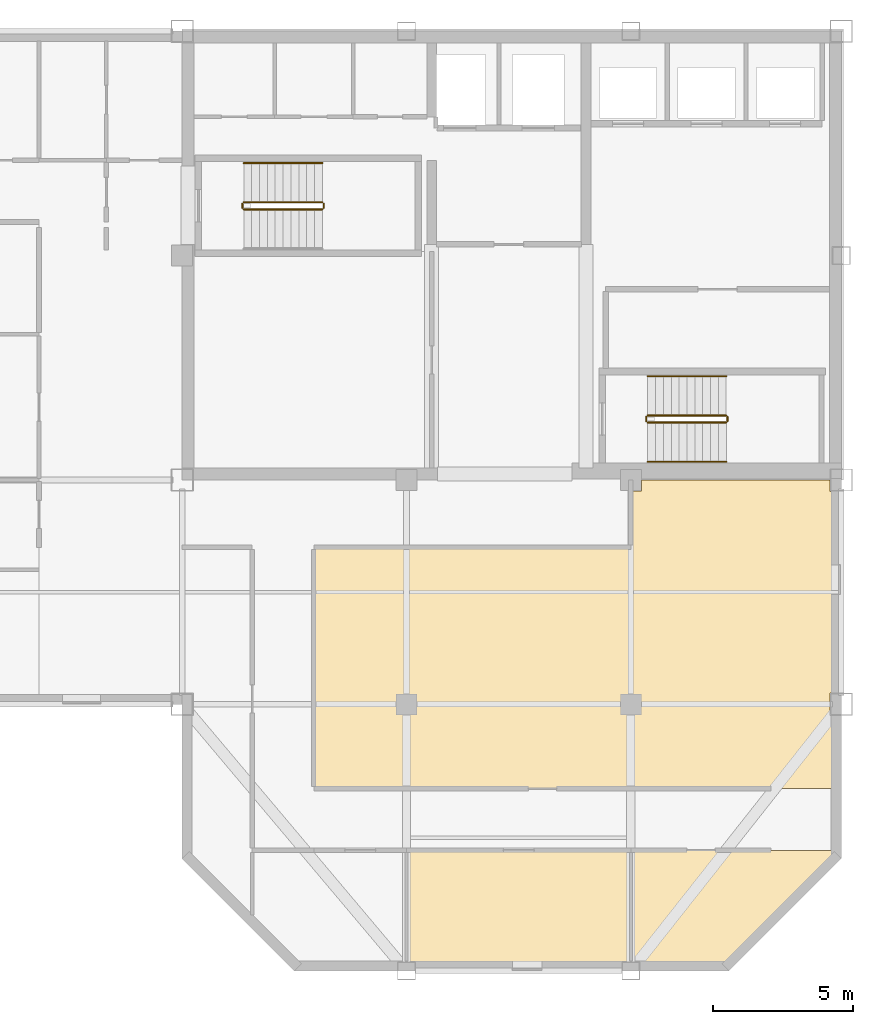
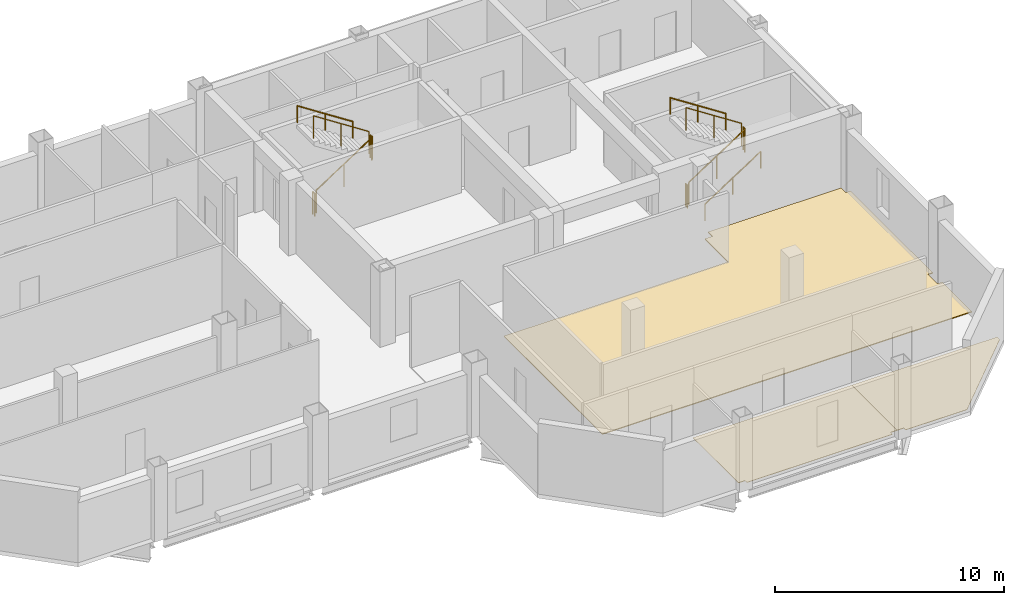
# One storey, part 6 of 7: 11 railings, 3 coverings.
"""IFC4 building model written with IfcOpenShell, lengths in metres."""

import ifcopenshell
import ifcopenshell.guid

model = None  # the IFC model being written
_history = None  # IfcOwnerHistory: only IFC2X3 demands one
_inside = {}  # id of a spatial element -> (the spatial element, [elements in it])
_under = {}  # id of a project, library or spatial element -> (it, [spatial elements below it])
_declared = {}  # id of a project -> (the project, [libraries it declares])
_typed = {}  # id of a type object -> (the type object, [elements of that type])
_made_of = {}  # id of a material, layer set ... -> (it, [elements and type objects made of it])


def new_model(schema):
    """Start an empty IFC model of exactly this schema.

    Asked for "IFC4X3", IfcOpenShell would pick the latest addendum, in which some entities
    have other attributes; the version numbers below select the first issue.
    IFC2X3 requires an IfcOwnerHistory on every rooted entity: one is made here for all.
    """
    global model, _history
    if schema == "IFC4X3":
        model = ifcopenshell.file(schema_version=(4, 3, 0, 0))
    else:
        model = ifcopenshell.file(schema=schema)
    _inside.clear()
    _under.clear()
    _declared.clear()
    _typed.clear()
    _made_of.clear()
    _history = None
    if model.schema == "IFC2X3":
        org = make("IfcOrganization", Name="unknown")
        user = make(
            "IfcPersonAndOrganization",
            ThePerson=make("IfcPerson", FamilyName="unknown"),
            TheOrganization=org,
        )
        app = make(
            "IfcApplication",
            ApplicationDeveloper=org,
            Version="unknown",
            ApplicationFullName="unknown",
            ApplicationIdentifier="unknown",
        )
        _history = make(
            "IfcOwnerHistory",
            OwningUser=user,
            OwningApplication=app,
            ChangeAction="ADDED",
            CreationDate=0,
        )
    return model


def make(cls, **values):
    """One entity of the class cls with the attributes given. An attribute that is None is left unset."""
    return model.create_entity(
        cls, **{name: value for name, value in values.items() if value is not None}
    )


def rooted(cls, **values):
    """An entity with a GlobalId (a new one), such as an element, a storey or a relation."""
    return make(cls, GlobalId=ifcopenshell.guid.new(), OwnerHistory=_history, **values)


def si_unit(unit_type, name, prefix=None):
    """IfcSIUnit, for example si_unit("LENGTHUNIT", "METRE", prefix="MILLI")."""
    return make("IfcSIUnit", UnitType=unit_type, Prefix=prefix, Name=name)


def assignment(units):
    """IfcUnitAssignment: the units of a project."""
    return None if units is None else make("IfcUnitAssignment", Units=units)


def point(xyz):
    """IfcCartesianPoint."""
    return None if xyz is None else make("IfcCartesianPoint", Coordinates=xyz)


def direction(xyz):
    """IfcDirection."""
    return None if xyz is None else make("IfcDirection", DirectionRatios=xyz)


def frame(location, z_axis=None, x_axis=None):
    """IfcAxis2Placement3D, a coordinate frame: its origin and axes. An axis left out is left unset."""
    return make(
        "IfcAxis2Placement3D",
        Location=point(location),
        Axis=direction(z_axis),
        RefDirection=direction(x_axis),
    )


def frame_2d(location, x_axis=None):
    """IfcAxis2Placement2D, a coordinate frame in the plane: its origin and x axis."""
    return make(
        "IfcAxis2Placement2D", Location=point(location), RefDirection=direction(x_axis)
    )


def origin():
    """The frame at (0, 0, 0) with its axes left unset."""
    return frame((0.0, 0.0, 0.0))


def origin_2d():
    """The frame at (0, 0) in the plane with its x axis left unset."""
    return frame_2d((0.0, 0.0))


def place(relative_to, where):
    """IfcLocalPlacement: puts the frame where relative to a parent placement (None: the world)."""
    return make(
        "IfcLocalPlacement", PlacementRelTo=relative_to, RelativePlacement=where
    )


def context(
    kind, dimensions, precision=None, world=None, true_north=None, identifier=None
):
    """IfcGeometricRepresentationContext, for example the 3D "Model" context."""
    return make(
        "IfcGeometricRepresentationContext",
        ContextIdentifier=identifier,
        ContextType=kind,
        CoordinateSpaceDimension=dimensions,
        Precision=precision,
        WorldCoordinateSystem=world,
        TrueNorth=true_north,
    )


def subcontext(parent, identifier, kind, view, scale=None):
    """IfcGeometricRepresentationSubContext, for example "Body" below "Model"."""
    return make(
        "IfcGeometricRepresentationSubContext",
        ContextIdentifier=identifier,
        ContextType=kind,
        ParentContext=parent,
        TargetScale=scale,
        TargetView=view,
    )


def project(units=None, contexts=None):
    """IfcProject with its units and contexts."""
    return rooted(
        "IfcProject",
        Name="project",
        RepresentationContexts=contexts,
        UnitsInContext=assignment(units),
    )


def spatial(cls, under=None, at=None, **own):
    """A site, building, storey or space (cls), placed at a placement, below another one or the project."""
    s = rooted(cls, ObjectPlacement=at, **own)
    if under is not None:
        _under.setdefault(under.id(), (under, []))[1].append(s)
    return s


def polyline(points):
    """IfcPolyline through the points."""
    return make("IfcPolyline", Points=[point(p) for p in points])


def profile(cls, at=None, kind="AREA", **sizes):
    """A parametric profile (cls). Its sizes go by their IFC names, for example OverallWidth=200.0."""
    return make(cls, ProfileType=kind, Position=at, **sizes)


def circle(**sizes):
    """IfcCircleProfileDef."""
    return profile("IfcCircleProfileDef", **sizes)


def outline(outer, holes=None, kind="AREA"):
    """IfcArbitraryClosedProfileDef: a profile drawn as a closed curve; with holes, ...WithVoids."""
    if holes is None:
        return make("IfcArbitraryClosedProfileDef", ProfileType=kind, OuterCurve=outer)
    return make(
        "IfcArbitraryProfileDefWithVoids",
        ProfileType=kind,
        OuterCurve=outer,
        InnerCurves=holes,
    )


def extrude(swept, where, along, depth):
    """IfcExtrudedAreaSolid: the profile swept, set in the frame where, extruded along a direction by depth."""
    return make(
        "IfcExtrudedAreaSolid",
        SweptArea=swept,
        Position=where,
        ExtrudedDirection=direction(along),
        Depth=depth,
    )


def shape(context_of_items, identifier, shape_type, items):
    """IfcShapeRepresentation: the items that make up one representation, for example the "Body"."""
    return make(
        "IfcShapeRepresentation",
        ContextOfItems=context_of_items,
        RepresentationIdentifier=identifier,
        RepresentationType=shape_type,
        Items=items,
    )


def material(Name=None, Category=None):
    """IfcMaterial."""
    return make("IfcMaterial", Name=Name, Category=Category)


def layer(
    of_material, thickness, ventilated=None, Name=None, Category=None, Priority=None
):
    """IfcMaterialLayer: one layer of a wall or slab, of a material (None: an air gap)."""
    return make(
        "IfcMaterialLayer",
        Material=of_material,
        LayerThickness=thickness,
        IsVentilated=ventilated,
        Name=Name,
        Category=Category,
        Priority=Priority,
    )


def layer_set(layers, Name=None):
    """IfcMaterialLayerSet."""
    return make("IfcMaterialLayerSet", MaterialLayers=layers, LayerSetName=Name)


def made_of(thing, what):
    """Note that an element or type object is made of a material, layer set ...; save() writes the relation."""
    if what is not None:
        _made_of.setdefault(what.id(), (what, []))[1].append(thing)
    return thing


def type_object(cls, material=None, **own):
    """A type object (cls), such as IfcWallType, which elements share."""
    return made_of(rooted(cls, **own), material)


def element(
    cls,
    number,
    at=None,
    inside=None,
    cuts=None,
    type_object=None,
    material=None,
    context=None,
    identifier="Body",
    shape_type=None,
    held_by="IfcProductDefinitionShape",
    body=None,
    shapes=None,
    **own,
):
    """One element of the class cls, such as IfcWall. Its Tag is "e" and its number.

    at: its placement. inside: the storey or other place that contains it. cuts: it is an
    opening in that element (IfcRelVoidsElement). A single representation is given by context,
    identifier, shape_type and body (its items); several are given by shapes. held_by: the class
    of the entity that holds the representations. save() writes the other relations.
    """
    e = rooted(cls, Tag="e%d" % number, ObjectPlacement=at, **own)
    if body is not None:
        shapes = [shape(context, identifier, shape_type, body)]
    if shapes is not None:
        e.Representation = make(held_by, Representations=shapes)
    if inside is not None:
        _inside.setdefault(inside.id(), (inside, []))[1].append(e)
    if cuts is not None:
        rooted(
            "IfcRelVoidsElement", RelatingBuildingElement=cuts, RelatedOpeningElement=e
        )
    if type_object is not None:
        _typed.setdefault(type_object.id(), (type_object, []))[1].append(e)
    return made_of(e, material)


def aggregate(whole, parts):
    """IfcRelAggregates: a whole, such as a stair, and the parts it consists of."""
    return rooted("IfcRelAggregates", RelatingObject=whole, RelatedObjects=parts)


def save(model, path):
    """Write the relations noted so far, then the file.

    IfcRelAggregates (storeys below a building ...), IfcRelContainedInSpatialStructure (elements
    in a storey), IfcRelDefinesByType, IfcRelAssociatesMaterial and IfcRelDeclares: one each for
    every whole, place, type object, material and project.
    """
    for whole, parts in _under.values():
        aggregate(whole, parts)
    for where, things in _inside.values():
        rooted(
            "IfcRelContainedInSpatialStructure",
            RelatedElements=things,
            RelatingStructure=where,
        )
    for kind, things in _typed.values():
        rooted("IfcRelDefinesByType", RelatedObjects=things, RelatingType=kind)
    for what, things in _made_of.values():
        rooted("IfcRelAssociatesMaterial", RelatedObjects=things, RelatingMaterial=what)
    for by, libraries in _declared.values():
        rooted("IfcRelDeclares", RelatingContext=by, RelatedDefinitions=libraries)
    model.write(path)


model = new_model("IFC4")

# Units and contexts
model_context = context("Model", 3, precision=1e-05, world=origin(), true_north=direction((0.0, 1.0)))
body_context = subcontext(model_context, "Body", "Model", "MODEL_VIEW")
ifc_project = project(units=[si_unit("LENGTHUNIT", "METRE"), si_unit("AREAUNIT", "SQUARE_METRE"), si_unit("VOLUMEUNIT", "CUBIC_METRE"), si_unit("PLANEANGLEUNIT", "RADIAN"), si_unit("MASSUNIT", "GRAM", prefix="KILO")], contexts=[model_context])

# Site, building, storey
site_placement = place(None, origin())
site = spatial("IfcSite", under=ifc_project, at=site_placement, CompositionType="ELEMENT")
building_placement = place(site_placement, origin())
building = spatial("IfcBuilding", under=site, at=building_placement, Name="Qianrong Seaharbour Tower", CompositionType="ELEMENT")
storey_placement = place(building_placement, frame((0.0, 0.0, 303.199951171875)))
storey = spatial("IfcBuildingStorey", under=building, at=storey_placement, Name="L73", CompositionType="ELEMENT", Elevation=303.199951171875)

# Coverings
ifc_material_1 = material(Name="Acoustic modular carpet tile flooring")
ifc_layer_1 = layer(ifc_material_1, 0.02001953125)
ifc_layer_set_1 = layer_set([ifc_layer_1], Name="Acoustic modular carpet tile flooring")
covering_type_1 = type_object("IfcCoveringType", Name="COV-FLOOR-CARPET-20", PredefinedType="FLOORING", material=ifc_layer_set_1)
covering_1_placement = place(storey_placement, origin())
element("IfcCovering", 1, at=covering_1_placement, inside=storey, type_object=covering_type_1, Name="L73 Meeting Room 2 Finish Flooring", PredefinedType="FLOORING", context=body_context, shape_type="SweptSolid", body=[
    extrude(outline(polyline([(56.5, 18.8349609375), (56.1650390625, 18.8349609375), (56.1650390625, 18.675048828125), (48.8349609375, 18.675048828125), (48.8349609375, 18.8349609375), (48.5, 18.8349609375), (48.5, 22.800048828125), (56.5, 22.800048828125), (56.5, 18.8349609375)])), origin(), (0.0, 0.0, 1.0), 0.02001953125),
])
covering_2_placement = place(storey_placement, origin())
element("IfcCovering", 2, at=covering_2_placement, inside=storey, type_object=covering_type_1, Name="L73 Standards Library 3 Finish Flooring", PredefinedType="FLOORING", context=body_context, shape_type="SweptSolid", body=[
    extrude(outline(polyline([(63.824951171875, 22.572509765625), (59.927490234375, 18.675048828125), (56.8349609375, 18.675048828125), (56.8349609375, 18.8349609375), (56.5, 18.8349609375), (56.5, 22.800048828125), (63.824951171875, 22.800048828125), (63.824951171875, 22.572509765625)])), origin(), (0.0, 0.0, 1.0), 0.02001953125),
])
ifc_material_2 = material(Name="Calcium-sulphate raised access floor tile")
ifc_layer_2 = layer(ifc_material_2, 0.044921875)
ifc_layer_set_2 = layer_set([ifc_layer_2], Name="Calcium-sulphate raised access floor tile")
covering_type_2 = type_object("IfcCoveringType", Name="COV-FLOOR-RAISED-45", PredefinedType="FLOORING", material=ifc_layer_set_2)
covering_3_placement = place(storey_placement, origin())
element("IfcCovering", 3, at=covering_3_placement, inside=storey, type_object=covering_type_2, Name="L73 South Wing Open-Plan Office Finish Flooring", PredefinedType="FLOORING", context=body_context, shape_type="SweptSolid", body=[
    extrude(outline(polyline([(56.5, 33.60009765625), (56.5, 35.614990234375), (56.885009765625, 35.614990234375), (56.885009765625, 36.0), (63.590087890625, 36.0), (63.590087890625, 35.590087890625), (63.824951171875, 35.590087890625), (63.824951171875, 28.409912109375), (63.590087890625, 28.409912109375), (63.590087890625, 27.590087890625), (63.824951171875, 27.590087890625), (63.824951171875, 25.0), (45.199951171875, 25.0), (45.199951171875, 33.60009765625), (56.5, 33.60009765625)])), origin(), (0.0, 0.0, 1.0), 0.045166015625),
])

# Railings
ifc_material_3 = material(Name="Galvanized painted steel SN400B stair guard", Category="steel")
railing_type_1 = type_object("IfcRailingType", Name="RAIL-STAIR-GUARD-1220", PredefinedType="GUARDRAIL", material=ifc_material_3)
railing_1_placement = place(storey_placement, frame((42.699951171875, 45.64990234375, 0.181884765625)))
element("IfcRailing", 4, at=railing_1_placement, inside=storey, type_object=railing_type_1, Name="L73 ST-1 stair guard 1", PredefinedType="GUARDRAIL", context=body_context, shape_type="SweptSolid", body=[
    extrude(circle(Radius=0.02392578125, at=origin_2d()), frame((0.0, 0.0, 1.19580078125), z_axis=(0.838705829183, 0.0, 0.544584733623), x_axis=(0.0, 1.0, 0.0)), (0.0, 0.0, 1.0), 3.338623046875),
    extrude(circle(Radius=0.02099609375, at=origin_2d()), origin(), (0.0, 0.0, 1.0), 1.171875),
    extrude(circle(Radius=0.02099609375, at=origin_2d()), frame((1.39990234375, 0.0, 0.9091796875)), (0.0, 0.0, 1.0), 1.171875),
    extrude(circle(Radius=0.02099609375, at=origin_2d()), frame((2.800048828125, 0.0, 1.818115234375)), (0.0, 0.0, 1.0), 1.171875),
])
railing_2_placement = place(storey_placement, frame((45.550048828125, 45.699951171875, 2.0)))
element("IfcRailing", 5, at=railing_2_placement, inside=storey, type_object=railing_type_1, Name="L73 ST-1 stair guard 2", PredefinedType="GUARDRAIL", context=body_context, shape_type="SweptSolid", body=[
    extrude(circle(Radius=0.02392578125, at=origin_2d()), frame((0.0, 0.0, 1.19580078125), z_axis=(0.0, 1.0, 0.0), x_axis=(-1.0, 0.0, 0.0)), (0.0, 0.0, 1.0), 0.150146484375),
    extrude(circle(Radius=0.02099609375, at=origin_2d()), origin(), (0.0, 0.0, 1.0), 1.171875),
    extrude(circle(Radius=0.02099609375, at=origin_2d()), frame((0.0, 0.150146484375, 0.0)), (0.0, 0.0, 1.0), 1.171875),
])
railing_3_placement = place(storey_placement, frame((45.5, 45.89990234375, 2.181884765625)))
element("IfcRailing", 6, at=railing_3_placement, inside=storey, type_object=railing_type_1, Name="L73 ST-1 stair guard 3", PredefinedType="GUARDRAIL", context=body_context, shape_type="SweptSolid", body=[
    extrude(circle(Radius=0.02392578125, at=origin_2d()), frame((0.0, 0.0, 1.19580078125), z_axis=(-0.838705829183, 0.0, 0.544584733623), x_axis=(0.0, -1.0, 0.0)), (0.0, 0.0, 1.0), 3.338623046875),
    extrude(circle(Radius=0.02099609375, at=origin_2d()), origin(), (0.0, 0.0, 1.0), 1.171875),
    extrude(circle(Radius=0.02099609375, at=origin_2d()), frame((-1.39990234375, 0.0, 0.9091796875)), (0.0, 0.0, 1.0), 1.171875),
    extrude(circle(Radius=0.02099609375, at=origin_2d()), frame((-2.800048828125, 0.0, 1.818115234375)), (0.0, 0.0, 1.0), 1.171875),
])
railing_4_placement = place(storey_placement, frame((42.64990234375, 45.699951171875, 0.0)))
element("IfcRailing", 7, at=railing_4_placement, inside=storey, type_object=railing_type_1, Name="L73 ST-1 stair guard 4", PredefinedType="GUARDRAIL", context=body_context, shape_type="SweptSolid", body=[
    extrude(circle(Radius=0.02392578125, at=origin_2d()), frame((0.0, 0.0, 1.19580078125), z_axis=(0.0, 1.0, 0.0), x_axis=(-1.0, 0.0, 0.0)), (0.0, 0.0, 1.0), 0.150146484375),
    extrude(circle(Radius=0.02099609375, at=origin_2d()), origin(), (0.0, 0.0, 1.0), 1.171875),
    extrude(circle(Radius=0.02099609375, at=origin_2d()), frame((0.0, 0.150146484375, 0.0)), (0.0, 0.0, 1.0), 1.171875),
])
railing_5_placement = place(storey_placement, frame((57.10009765625, 38.050048828125, 0.181884765625)))
element("IfcRailing", 8, at=railing_5_placement, inside=storey, type_object=railing_type_1, Name="L73 ST-2 stair guard 1", PredefinedType="GUARDRAIL", context=body_context, shape_type="SweptSolid", body=[
    extrude(circle(Radius=0.02392578125, at=origin_2d()), frame((0.0, 0.0, 1.19580078125), z_axis=(0.83868413941, 0.0, 0.544618136222), x_axis=(0.0, 1.0, 0.0)), (0.0, 0.0, 1.0), 3.33837890625),
    extrude(circle(Radius=0.02099609375, at=origin_2d()), origin(), (0.0, 0.0, 1.0), 1.171875),
    extrude(circle(Radius=0.02099609375, at=origin_2d()), frame((1.39990234375, 0.0, 0.9091796875)), (0.0, 0.0, 1.0), 1.171875),
    extrude(circle(Radius=0.02099609375, at=origin_2d()), frame((2.7998046875, 0.0, 1.818115234375)), (0.0, 0.0, 1.0), 1.171875),
])
railing_6_placement = place(storey_placement, frame((59.949951171875, 38.10009765625, 2.0)))
element("IfcRailing", 9, at=railing_6_placement, inside=storey, type_object=railing_type_1, Name="L73 ST-2 stair guard 2", PredefinedType="GUARDRAIL", context=body_context, shape_type="SweptSolid", body=[
    extrude(circle(Radius=0.02392578125, at=origin_2d()), frame((0.0, 0.0, 1.19580078125), z_axis=(0.0, 1.0, 0.0), x_axis=(-1.0, 0.0, 0.0)), (0.0, 0.0, 1.0), 0.14990234375),
    extrude(circle(Radius=0.02099609375, at=origin_2d()), origin(), (0.0, 0.0, 1.0), 1.171875),
    extrude(circle(Radius=0.02099609375, at=origin_2d()), frame((0.0, 0.14990234375, 0.0)), (0.0, 0.0, 1.0), 1.171875),
])
railing_7_placement = place(storey_placement, frame((59.89990234375, 38.300048828125, 2.181884765625)))
element("IfcRailing", 10, at=railing_7_placement, inside=storey, type_object=railing_type_1, Name="L73 ST-2 stair guard 3", PredefinedType="GUARDRAIL", context=body_context, shape_type="SweptSolid", body=[
    extrude(circle(Radius=0.02392578125, at=origin_2d()), frame((0.0, 0.0, 1.19580078125), z_axis=(-0.83868413941, 0.0, 0.544618136222), x_axis=(0.0, -1.0, 0.0)), (0.0, 0.0, 1.0), 3.33837890625),
    extrude(circle(Radius=0.02099609375, at=origin_2d()), origin(), (0.0, 0.0, 1.0), 1.171875),
    extrude(circle(Radius=0.02099609375, at=origin_2d()), frame((-1.39990234375, 0.0, 0.9091796875)), (0.0, 0.0, 1.0), 1.171875),
    extrude(circle(Radius=0.02099609375, at=origin_2d()), frame((-2.7998046875, 0.0, 1.818115234375)), (0.0, 0.0, 1.0), 1.171875),
])
railing_8_placement = place(storey_placement, frame((57.050048828125, 38.10009765625, 0.0)))
element("IfcRailing", 11, at=railing_8_placement, inside=storey, type_object=railing_type_1, Name="L73 ST-2 stair guard 4", PredefinedType="GUARDRAIL", context=body_context, shape_type="SweptSolid", body=[
    extrude(circle(Radius=0.02392578125, at=origin_2d()), frame((0.0, 0.0, 1.19580078125), z_axis=(0.0, 1.0, 0.0), x_axis=(-1.0, 0.0, 0.0)), (0.0, 0.0, 1.0), 0.14990234375),
    extrude(circle(Radius=0.02099609375, at=origin_2d()), origin(), (0.0, 0.0, 1.0), 1.171875),
    extrude(circle(Radius=0.02099609375, at=origin_2d()), frame((0.0, 0.14990234375, 0.0)), (0.0, 0.0, 1.0), 1.171875),
])
ifc_material_4 = material(Name="Stainless steel SUS316L continuous handrail", Category="steel")
railing_type_2 = type_object("IfcRailingType", Name="RAIL-STAIR-HANDRAIL-900", PredefinedType="HANDRAIL", material=ifc_material_4)
railing_9_placement = place(storey_placement, frame((45.5, 47.300048828125, 2.181884765625)))
element("IfcRailing", 12, at=railing_9_placement, inside=storey, type_object=railing_type_2, Name="L73 ST-1 stair handrail 2", PredefinedType="HANDRAIL", context=body_context, shape_type="SweptSolid", body=[
    extrude(circle(Radius=0.02392578125, at=origin_2d()), frame((0.0, 0.0, 0.8759765625), z_axis=(-0.838705829183, 0.0, 0.544584733623), x_axis=(0.0, -1.0, 0.0)), (0.0, 0.0, 1.0), 3.338623046875),
    extrude(circle(Radius=0.02099609375, at=origin_2d()), origin(), (0.0, 0.0, 1.0), 0.851806640625),
    extrude(circle(Radius=0.02099609375, at=origin_2d()), frame((-1.39990234375, 0.0, 0.9091796875)), (0.0, 0.0, 1.0), 0.851806640625),
    extrude(circle(Radius=0.02099609375, at=origin_2d()), frame((-2.800048828125, 0.0, 1.818115234375)), (0.0, 0.0, 1.0), 0.851806640625),
])
railing_10_placement = place(storey_placement, frame((57.10009765625, 36.64990234375, 0.181884765625)))
element("IfcRailing", 13, at=railing_10_placement, inside=storey, type_object=railing_type_2, Name="L73 ST-2 stair handrail 1", PredefinedType="HANDRAIL", context=body_context, shape_type="SweptSolid", body=[
    extrude(circle(Radius=0.02392578125, at=origin_2d()), frame((0.0, 0.0, 0.8759765625), z_axis=(0.83868413941, 0.0, 0.544618136222), x_axis=(0.0, 1.0, 0.0)), (0.0, 0.0, 1.0), 3.33837890625),
    extrude(circle(Radius=0.02099609375, at=origin_2d()), origin(), (0.0, 0.0, 1.0), 0.851806640625),
    extrude(circle(Radius=0.02099609375, at=origin_2d()), frame((1.39990234375, 0.0, 0.9091796875)), (0.0, 0.0, 1.0), 0.851806640625),
    extrude(circle(Radius=0.02099609375, at=origin_2d()), frame((2.7998046875, 0.0, 1.818115234375)), (0.0, 0.0, 1.0), 0.851806640625),
])
railing_11_placement = place(storey_placement, frame((59.89990234375, 39.699951171875, 2.181884765625)))
element("IfcRailing", 14, at=railing_11_placement, inside=storey, type_object=railing_type_2, Name="L73 ST-2 stair handrail 2", PredefinedType="HANDRAIL", context=body_context, shape_type="SweptSolid", body=[
    extrude(circle(Radius=0.02392578125, at=origin_2d()), frame((0.0, 0.0, 0.8759765625), z_axis=(-0.83868413941, 0.0, 0.544618136222), x_axis=(0.0, -1.0, 0.0)), (0.0, 0.0, 1.0), 3.33837890625),
    extrude(circle(Radius=0.02099609375, at=origin_2d()), origin(), (0.0, 0.0, 1.0), 0.851806640625),
    extrude(circle(Radius=0.02099609375, at=origin_2d()), frame((-1.39990234375, 0.0, 0.9091796875)), (0.0, 0.0, 1.0), 0.851806640625),
    extrude(circle(Radius=0.02099609375, at=origin_2d()), frame((-2.7998046875, 0.0, 1.818115234375)), (0.0, 0.0, 1.0), 0.851806640625),
])

save(model, "model.ifc")
